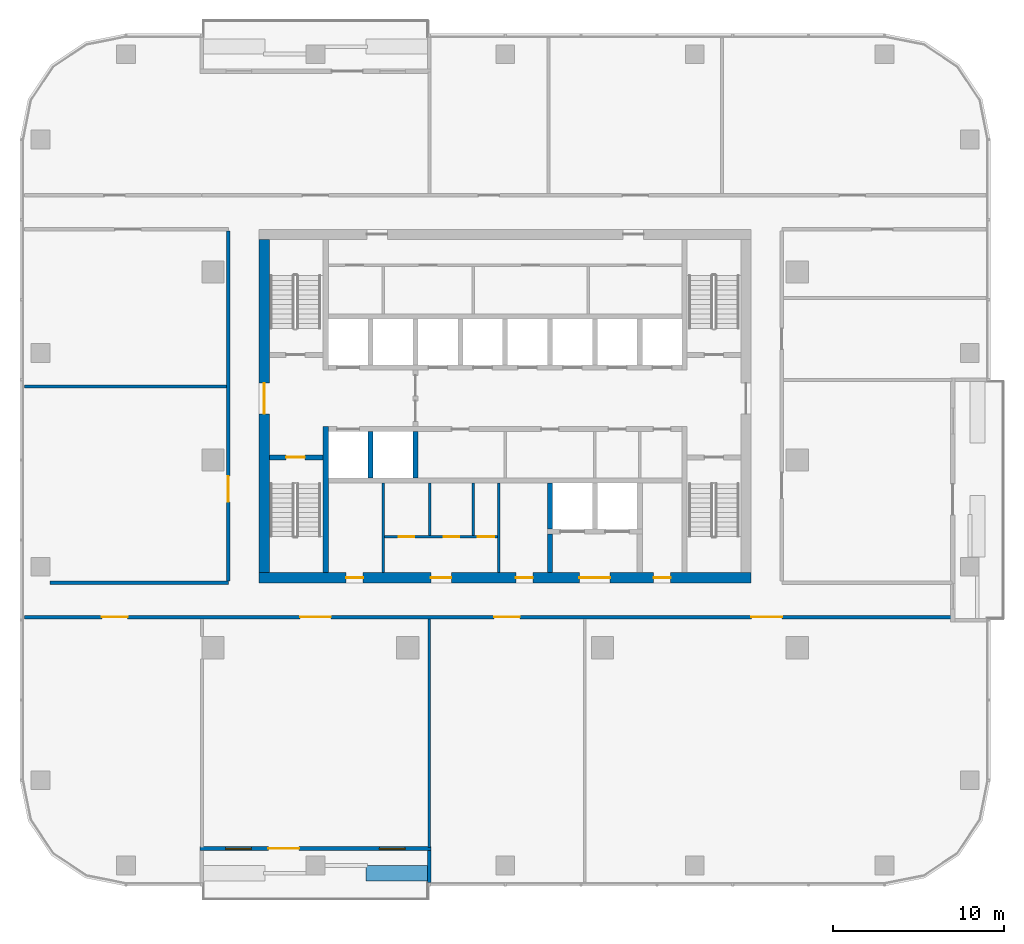
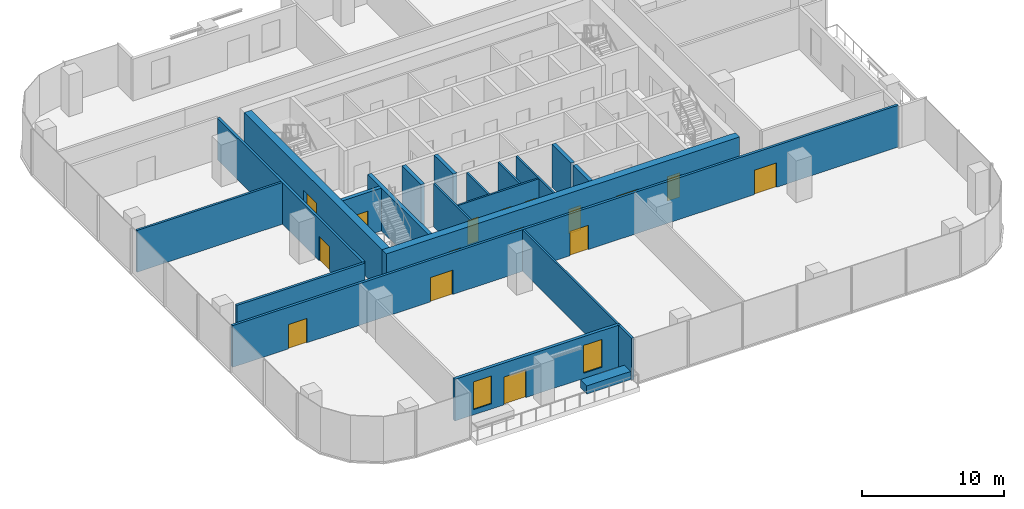
# One storey, part 7 of 14: 21 walls, 16 doors, 2 windows, 18 openings.
"""IFC4 building model written with IfcOpenShell, lengths in metres."""

from ifc_helpers import new_model, si_unit, direction, frame, frame_2d, origin, place, context, subcontext, project, spatial, rectangle, extrude, material, layer, layer_set, type_object, element, fill, save


model = new_model("IFC4")

# Units and contexts
model_context = context("Model", 3, precision=1e-05, world=origin(), true_north=direction((0.0, 1.0)))
body_context = subcontext(model_context, "Body", "Model", "MODEL_VIEW")
ifc_project = project(units=[si_unit("LENGTHUNIT", "METRE"), si_unit("AREAUNIT", "SQUARE_METRE"), si_unit("VOLUMEUNIT", "CUBIC_METRE"), si_unit("PLANEANGLEUNIT", "RADIAN"), si_unit("MASSUNIT", "GRAM", prefix="KILO")], contexts=[model_context])

# Site, building, storey
site_placement = place(None, origin())
site = spatial("IfcSite", under=ifc_project, at=site_placement, CompositionType="ELEMENT")
building_placement = place(site_placement, origin())
building = spatial("IfcBuilding", under=site, at=building_placement, Name="Mopane Tessera Tower", CompositionType="ELEMENT")
storey_placement = place(building_placement, frame((0.0, 0.0, 215.0)))
storey = spatial("IfcBuildingStorey", under=building, at=storey_placement, Name="L45", CompositionType="ELEMENT", Elevation=215.0)

# Wall
ifc_material_1 = material(Name="Fire-rated gypsum board partition")
ifc_layer_1 = layer(ifc_material_1, 0.14990234375)
ifc_layer_set_1 = layer_set([ifc_layer_1], Name="Fire-rated gypsum board partition")
wall_type_1 = type_object("IfcWallType", Name="Core room partition 150 mm", PredefinedType="PARTITIONING", material=ifc_layer_set_1)
wall_1_placement = place(storey_placement, frame((-7.125, -6.60009765625, 0.0), z_axis=(0.0, 0.0, 1.0), x_axis=(0.0, 1.0, 0.0)))
element("IfcWall", 1, at=wall_1_placement, inside=storey, type_object=wall_type_1, Name="L45 Room partition", PredefinedType="PARTITIONING", context=body_context, shape_type="SweptSolid", body=[
    extrude(rectangle(XDim=5.25, YDim=0.14990234375, at=frame_2d((2.625, 0.0))), origin(), (0.0, 0.0, 1.0), 3.699951171875),
])

# Wall, openings, doors
wall_2_placement = place(storey_placement, frame((-7.050048828125, -4.5, 0.0), z_axis=(0.0, 0.0, 1.0), x_axis=(1.0, 0.0, 0.0)))
wall_2 = element("IfcWall", 2, at=wall_2_placement, inside=storey, type_object=wall_type_1, Name="L45 WC partition", PredefinedType="PARTITIONING", context=body_context, shape_type="SweptSolid", body=[
    extrude(rectangle(XDim=6.60009765625, YDim=0.14990234375, at=frame_2d((3.300048828125, 0.0))), origin(), (0.0, 0.0, 1.0), 3.699951171875),
])
opening_1_placement = place(wall_2_placement, frame((0.824951171875, 0.0, 0.0)))
opening_1 = element("IfcOpeningElement", 3, at=opening_1_placement, cuts=wall_2, Name="Opening WD1", PredefinedType="OPENING", context=body_context, shape_type="SweptSolid", body=[
    extrude(rectangle(XDim=0.89990234375, YDim=2.10009765625, at=frame_2d((0.449951171875, 1.050048828125))), frame((0.0, 0.0869140625, 0.0), z_axis=(0.0, -1.0, 0.0), x_axis=(1.0, 0.0, 0.0)), (0.0, 0.0, 1.0), 0.173828125),
])
opening_2_placement = place(wall_2_placement, frame((3.45751953125, 0.0, 0.0)))
opening_2 = element("IfcOpeningElement", 4, at=opening_2_placement, cuts=wall_2, Name="Opening WD1", PredefinedType="OPENING", context=body_context, shape_type="SweptSolid", body=[
    extrude(rectangle(XDim=0.89990234375, YDim=2.10009765625, at=frame_2d((0.449951171875, 1.050048828125))), frame((0.0, 0.0869140625, 0.0), z_axis=(0.0, -1.0, 0.0), x_axis=(1.0, 0.0, 0.0)), (0.0, 0.0, 1.0), 0.173828125),
])
opening_3_placement = place(wall_2_placement, frame((5.45751953125, 0.0, 0.0)))
opening_3 = element("IfcOpeningElement", 5, at=opening_3_placement, cuts=wall_2, Name="Opening WD2", PredefinedType="OPENING", context=body_context, shape_type="SweptSolid", body=[
    extrude(rectangle(XDim=0.949951171875, YDim=2.10009765625, at=frame_2d((0.47509765625, 1.050048828125))), frame((0.0, 0.0869140625, 0.0), z_axis=(0.0, -1.0, 0.0), x_axis=(1.0, 0.0, 0.0)), (0.0, 0.0, 1.0), 0.173828125),
])
ifc_material_2 = material(Name="Timber door", Category="wood")
door_type_1 = type_object("IfcDoorType", Name="Accessible WC door 950 x 2100", OperationType="SINGLE_SWING_LEFT", PredefinedType="DOOR", material=ifc_material_2)
door_1_placement = place(opening_3_placement, origin())
door_1 = element("IfcDoor", 6, at=door_1_placement, inside=storey, type_object=door_type_1, Name="L45 Accessible WC door", OperationType="SINGLE_SWING_LEFT", OverallHeight=2.10009765625, OverallWidth=0.949951171875, PredefinedType="DOOR", context=body_context, shape_type="SweptSolid", body=[
    extrude(rectangle(XDim=0.949951171875, YDim=2.10009765625, at=frame_2d((0.47509765625, 1.050048828125))), frame((0.0, 0.02490234375, 0.0), z_axis=(0.0, -1.0, 0.0), x_axis=(1.0, 0.0, 0.0)), (0.0, 0.0, 1.0), 0.050048828125),
])
fill(opening_3, door_1)
ifc_material_3 = material(Name="Timber door", Category="wood")
door_type_2 = type_object("IfcDoorType", Name="WC cubicle door 900 x 2100", OperationType="SINGLE_SWING_LEFT", PredefinedType="DOOR", material=ifc_material_3)
door_2_placement = place(opening_1_placement, origin())
door_2 = element("IfcDoor", 7, at=door_2_placement, inside=storey, type_object=door_type_2, Name="L45 Men's WC door", OperationType="SINGLE_SWING_LEFT", OverallHeight=2.10009765625, OverallWidth=0.89990234375, PredefinedType="DOOR", context=body_context, shape_type="SweptSolid", body=[
    extrude(rectangle(XDim=0.89990234375, YDim=2.10009765625, at=frame_2d((0.449951171875, 1.050048828125))), frame((0.0, 0.02490234375, 0.0), z_axis=(0.0, -1.0, 0.0), x_axis=(1.0, 0.0, 0.0)), (0.0, 0.0, 1.0), 0.050048828125),
])
fill(opening_1, door_2)
door_3_placement = place(opening_2_placement, origin())
door_3 = element("IfcDoor", 8, at=door_3_placement, inside=storey, type_object=door_type_2, Name="L45 Women's WC door", OperationType="SINGLE_SWING_LEFT", OverallHeight=2.10009765625, OverallWidth=0.89990234375, PredefinedType="DOOR", context=body_context, shape_type="SweptSolid", body=[
    extrude(rectangle(XDim=0.89990234375, YDim=2.10009765625, at=frame_2d((0.449951171875, 1.050048828125))), frame((0.0, 0.02490234375, 0.0), z_axis=(0.0, -1.0, 0.0), x_axis=(1.0, 0.0, 0.0)), (0.0, 0.0, 1.0), 0.050048828125),
])
fill(opening_2, door_3)

# Walls
for number, where, z_axis, x_axis, name in (
    (9, (-4.425048828125, -4.425048828125, 0.0), (0.0, 0.0, 1.0), (0.0, 1.0, 0.0), "L45 WC partition"),
    (10, (-1.860107421875, -4.425048828125, 0.0), (0.0, 0.0, 1.0), (0.0, 1.0, 0.0), "L45 WC partition"),
):
    element("IfcWall", number, at=place(storey_placement, frame(where, z_axis=z_axis, x_axis=x_axis)), inside=storey, type_object=wall_type_1, Name=name, PredefinedType="PARTITIONING", context=body_context, shape_type="SweptSolid", body=[
        extrude(rectangle(XDim=3.074951171875, YDim=0.14990234375, at=frame_2d((1.53759765625, 0.0))), origin(), (0.0, 0.0, 1.0), 3.699951171875),
    ])
wall_3_placement = place(storey_placement, frame((-0.375, -6.60009765625, 0.0), z_axis=(0.0, 0.0, 1.0), x_axis=(0.0, 1.0, 0.0)))
element("IfcWall", 11, at=wall_3_placement, inside=storey, type_object=wall_type_1, Name="L45 Room partition", PredefinedType="PARTITIONING", context=body_context, shape_type="SweptSolid", body=[
    extrude(rectangle(XDim=5.25, YDim=0.14990234375, at=frame_2d((2.625, 0.0))), origin(), (0.0, 0.0, 1.0), 3.699951171875),
])

# Wall, openings, doors
ifc_material_4 = material(Name="Concrete C70/85", Category="concrete")
ifc_layer_2 = layer(ifc_material_4, 0.60009765625)
ifc_layer_set_2 = layer_set([ifc_layer_2], Name="Concrete C70/85")
wall_type_2 = type_object("IfcWallType", Name="Core shear wall 600 mm", PredefinedType="SHEAR", material=ifc_layer_set_2)
wall_4_placement = place(storey_placement, frame((-14.39990234375, -6.89990234375, 0.0), z_axis=(0.0, 0.0, 1.0), x_axis=(1.0, 0.0, 0.0)))
wall_4 = element("IfcWall", 12, at=wall_4_placement, inside=storey, type_object=wall_type_2, Name="L45 Core wall south", PredefinedType="SHEAR", context=body_context, shape_type="SweptSolid", body=[
    extrude(rectangle(XDim=28.7998046875, YDim=0.60009765625, at=frame_2d((14.39990234375, 0.0))), origin(), (0.0, 0.0, 1.0), 3.699951171875),
])
opening_4_placement = place(wall_4_placement, frame((5.08740234375, 0.0, 0.0)))
opening_4 = element("IfcOpeningElement", 13, at=opening_4_placement, cuts=wall_4, Name="Opening RD1", PredefinedType="OPENING", context=body_context, shape_type="SweptSolid", body=[
    extrude(rectangle(XDim=1.0, YDim=2.10009765625, at=frame_2d((0.5, 1.050048828125))), frame((0.0, 0.31201171875, 0.0), z_axis=(0.0, -1.0, 0.0), x_axis=(1.0, 0.0, 0.0)), (0.0, 0.0, 1.0), 0.6240234375),
])
opening_5_placement = place(wall_4_placement, frame((10.050048828125, 0.0, 0.0)))
opening_5 = element("IfcOpeningElement", 14, at=opening_5_placement, cuts=wall_4, Name="Opening WD3", PredefinedType="OPENING", context=body_context, shape_type="SweptSolid", body=[
    extrude(rectangle(XDim=1.199951171875, YDim=2.10009765625, at=frame_2d((0.60009765625, 1.050048828125))), frame((0.0, 0.31201171875, 0.0), z_axis=(0.0, -1.0, 0.0), x_axis=(1.0, 0.0, 0.0)), (0.0, 0.0, 1.0), 0.6240234375),
])
opening_6_placement = place(wall_4_placement, frame((15.02490234375, 0.0, 0.0)))
opening_6 = element("IfcOpeningElement", 15, at=opening_6_placement, cuts=wall_4, Name="Opening RD1", PredefinedType="OPENING", context=body_context, shape_type="SweptSolid", body=[
    extrude(rectangle(XDim=1.0, YDim=2.10009765625, at=frame_2d((0.5, 1.050048828125))), frame((0.0, 0.31201171875, 0.0), z_axis=(0.0, -1.0, 0.0), x_axis=(1.0, 0.0, 0.0)), (0.0, 0.0, 1.0), 0.6240234375),
])
opening_7_placement = place(wall_4_placement, frame((18.75, 0.0, 0.0)))
opening_7 = element("IfcOpeningElement", 16, at=opening_7_placement, cuts=wall_4, Name="Opening SD2", PredefinedType="OPENING", context=body_context, shape_type="SweptSolid", body=[
    extrude(rectangle(XDim=1.800048828125, YDim=2.10009765625, at=frame_2d((0.89990234375, 1.050048828125))), frame((0.0, 0.31201171875, 0.0), z_axis=(0.0, -1.0, 0.0), x_axis=(1.0, 0.0, 0.0)), (0.0, 0.0, 1.0), 0.6240234375),
])
opening_8_placement = place(wall_4_placement, frame((23.08740234375, 0.0, 0.0)))
opening_8 = element("IfcOpeningElement", 17, at=opening_8_placement, cuts=wall_4, Name="Opening RD1", PredefinedType="OPENING", context=body_context, shape_type="SweptSolid", body=[
    extrude(rectangle(XDim=1.0, YDim=2.10009765625, at=frame_2d((0.5, 1.050048828125))), frame((0.0, 0.31201171875, 0.0), z_axis=(0.0, -1.0, 0.0), x_axis=(1.0, 0.0, 0.0)), (0.0, 0.0, 1.0), 0.6240234375),
])
ifc_material_5 = material(Name="Steel fire door", Category="steel")
door_type_3 = type_object("IfcDoorType", Name="Core entrance double door 1800 x 2100", OperationType="DOUBLE_DOOR_SINGLE_SWING", PredefinedType="DOOR", material=ifc_material_5)
door_4_placement = place(opening_7_placement, origin())
door_4 = element("IfcDoor", 18, at=door_4_placement, inside=storey, type_object=door_type_3, Name="L45 Service lobby door", OperationType="DOUBLE_DOOR_SINGLE_SWING", OverallHeight=2.10009765625, OverallWidth=1.800048828125, PredefinedType="DOOR", context=body_context, shape_type="SweptSolid", body=[
    extrude(rectangle(XDim=1.800048828125, YDim=2.10009765625, at=frame_2d((0.89990234375, 1.050048828125))), frame((0.0, 0.02490234375, 0.0), z_axis=(0.0, -1.0, 0.0), x_axis=(1.0, 0.0, 0.0)), (0.0, 0.0, 1.0), 0.050048828125),
])
fill(opening_7, door_4)
ifc_material_6 = material(Name="Timber door", Category="wood")
door_type_4 = type_object("IfcDoorType", Name="Core room door 1000 x 2100", OperationType="SINGLE_SWING_LEFT", PredefinedType="DOOR", material=ifc_material_6)
door_5_placement = place(opening_4_placement, origin())
door_5 = element("IfcDoor", 19, at=door_5_placement, inside=storey, type_object=door_type_4, Name="L45 Room door", OperationType="SINGLE_SWING_LEFT", OverallHeight=2.10009765625, OverallWidth=1.0, PredefinedType="DOOR", context=body_context, shape_type="SweptSolid", body=[
    extrude(rectangle(XDim=1.0, YDim=2.10009765625, at=frame_2d((0.5, 1.050048828125))), frame((0.0, 0.02490234375, 0.0), z_axis=(0.0, -1.0, 0.0), x_axis=(1.0, 0.0, 0.0)), (0.0, 0.0, 1.0), 0.050048828125),
])
fill(opening_4, door_5)
door_6_placement = place(opening_6_placement, origin())
door_6 = element("IfcDoor", 20, at=door_6_placement, inside=storey, type_object=door_type_4, Name="L45 Room door", OperationType="SINGLE_SWING_LEFT", OverallHeight=2.10009765625, OverallWidth=1.0, PredefinedType="DOOR", context=body_context, shape_type="SweptSolid", body=[
    extrude(rectangle(XDim=1.0, YDim=2.10009765625, at=frame_2d((0.5, 1.050048828125))), frame((0.0, 0.02490234375, 0.0), z_axis=(0.0, -1.0, 0.0), x_axis=(1.0, 0.0, 0.0)), (0.0, 0.0, 1.0), 0.050048828125),
])
fill(opening_6, door_6)
door_7_placement = place(opening_8_placement, origin())
door_7 = element("IfcDoor", 21, at=door_7_placement, inside=storey, type_object=door_type_4, Name="L45 Room door", OperationType="SINGLE_SWING_LEFT", OverallHeight=2.10009765625, OverallWidth=1.0, PredefinedType="DOOR", context=body_context, shape_type="SweptSolid", body=[
    extrude(rectangle(XDim=1.0, YDim=2.10009765625, at=frame_2d((0.5, 1.050048828125))), frame((0.0, 0.02490234375, 0.0), z_axis=(0.0, -1.0, 0.0), x_axis=(1.0, 0.0, 0.0)), (0.0, 0.0, 1.0), 0.050048828125),
])
fill(opening_8, door_7)
ifc_material_7 = material(Name="Timber door", Category="wood")
door_type_5 = type_object("IfcDoorType", Name="WC lobby door 1200 x 2100", OperationType="SINGLE_SWING_LEFT", PredefinedType="DOOR", material=ifc_material_7)
door_8_placement = place(opening_5_placement, origin())
door_8 = element("IfcDoor", 22, at=door_8_placement, inside=storey, type_object=door_type_5, Name="L45 WC lobby door", OperationType="SINGLE_SWING_LEFT", OverallHeight=2.10009765625, OverallWidth=1.199951171875, PredefinedType="DOOR", context=body_context, shape_type="SweptSolid", body=[
    extrude(rectangle(XDim=1.199951171875, YDim=2.10009765625, at=frame_2d((0.60009765625, 1.050048828125))), frame((0.0, 0.02490234375, 0.0), z_axis=(0.0, -1.0, 0.0), x_axis=(1.0, 0.0, 0.0)), (0.0, 0.0, 1.0), 0.050048828125),
])
fill(opening_5, door_8)

# Wall, opening, door
wall_5_placement = place(storey_placement, frame((-14.10009765625, -6.60009765625, 0.0), z_axis=(0.0, 0.0, 1.0), x_axis=(0.0, 1.0, 0.0)))
wall_5 = element("IfcWall", 23, at=wall_5_placement, inside=storey, type_object=wall_type_2, Name="L45 Core wall west", PredefinedType="SHEAR", context=body_context, shape_type="SweptSolid", body=[
    extrude(rectangle(XDim=19.5, YDim=0.60009765625, at=frame_2d((9.75, 0.0))), origin(), (0.0, 0.0, 1.0), 3.699951171875),
])
opening_9_placement = place(wall_5_placement, frame((9.300048828125, 0.0, 0.0)))
opening_9 = element("IfcOpeningElement", 24, at=opening_9_placement, cuts=wall_5, Name="Opening SD2", PredefinedType="OPENING", context=body_context, shape_type="SweptSolid", body=[
    extrude(rectangle(XDim=1.800048828125, YDim=2.10009765625, at=frame_2d((0.89990234375, 1.050048828125))), frame((0.0, 0.31201171875, 0.0), z_axis=(0.0, -1.0, 0.0), x_axis=(1.0, 0.0, 0.0)), (0.0, 0.0, 1.0), 0.6240234375),
])
door_9_placement = place(opening_9_placement, origin())
door_9 = element("IfcDoor", 25, at=door_9_placement, inside=storey, type_object=door_type_3, Name="L45 Core entrance door west", OperationType="DOUBLE_DOOR_SINGLE_SWING", OverallHeight=2.10009765625, OverallWidth=1.800048828125, PredefinedType="DOOR", context=body_context, shape_type="SweptSolid", body=[
    extrude(rectangle(XDim=1.800048828125, YDim=2.10009765625, at=frame_2d((0.89990234375, 1.050048828125))), frame((0.0, 0.02490234375, 0.0), z_axis=(0.0, -1.0, 0.0), x_axis=(1.0, 0.0, 0.0)), (0.0, 0.0, 1.0), 0.050048828125),
])
fill(opening_9, door_9)

# Walls
ifc_material_8 = material(Name="Concrete C60/75", Category="concrete")
ifc_layer_3 = layer(ifc_material_8, 0.300048828125)
ifc_layer_set_3 = layer_set([ifc_layer_3], Name="Concrete C60/75")
wall_type_3 = type_object("IfcWallType", Name="Core spine wall 300 mm", PredefinedType="SHEAR", material=ifc_layer_set_3)
wall_6_placement = place(storey_placement, frame((-10.5, -6.60009765625, 0.0), z_axis=(0.0, 0.0, 1.0), x_axis=(0.0, 1.0, 0.0)))
element("IfcWall", 26, at=wall_6_placement, inside=storey, type_object=wall_type_3, Name="L45 Core spine wall", PredefinedType="SHEAR", context=body_context, shape_type="SweptSolid", body=[
    extrude(rectangle(XDim=8.550048828125, YDim=0.300048828125, at=frame_2d((4.27490234375, 0.0))), origin(), (0.0, 0.0, 1.0), 3.699951171875),
])
ifc_material_9 = material(Name="Gypsum board on staggered steel studs, double layer each face, acoustic mineral wool infill", Category="steel")
ifc_layer_4 = layer(ifc_material_9, 0.175048828125)
ifc_layer_set_4 = layer_set([ifc_layer_4], Name="Gypsum board on staggered steel studs, double layer each face, acoustic mineral wool infill")
wall_type_4 = type_object("IfcWallType", Name="Gypsum board acoustic partition 175, rated EI 60", PredefinedType="PARTITIONING", material=ifc_layer_set_4)
wall_7_placement = place(storey_placement, frame((-28.14990234375, 4.300048828125, 0.0), z_axis=(0.0, 0.0, 1.0), x_axis=(1.0, 0.0, 0.0)))
element("IfcWall", 27, at=wall_7_placement, inside=storey, type_object=wall_type_4, Name="Partition L45:003", PredefinedType="PARTITIONING", context=body_context, shape_type="SweptSolid", body=[
    extrude(rectangle(XDim=11.849853515625, YDim=0.175048828125, at=frame_2d((5.9248046875, 0.0))), origin(), (0.0, 0.0, 1.0), 3.60009765625),
])

# Wall, openings, doors
ifc_material_10 = material(Name="Gypsum board on steel studs, two layers each face, mineral wool infill", Category="steel")
ifc_layer_5 = layer(ifc_material_10, 0.199951171875)
ifc_layer_set_5 = layer_set([ifc_layer_5], Name="Gypsum board on steel studs, two layers each face, mineral wool infill")
wall_type_5 = type_object("IfcWallType", Name="Gypsum board corridor wall 200, rated EI 60", PredefinedType="PARTITIONING", material=ifc_layer_set_5)
wall_8_placement = place(storey_placement, frame((-28.14990234375, -9.199951171875, 0.0), z_axis=(0.0, 0.0, 1.0), x_axis=(1.0, 0.0, 0.0)))
wall_8 = element("IfcWall", 28, at=wall_8_placement, inside=storey, type_object=wall_type_5, Name="Partition L45:000", PredefinedType="PARTITIONING", context=body_context, shape_type="SweptSolid", body=[
    extrude(rectangle(XDim=54.2998046875, YDim=0.199951171875, at=frame_2d((27.14990234375, 0.0))), origin(), (0.0, 0.0, 1.0), 3.60009765625),
])
opening_10_placement = place(wall_8_placement, frame((42.554931640625, 0.0, 0.0)))
opening_10 = element("IfcOpeningElement", 29, at=opening_10_placement, cuts=wall_8, Name="Opening L45-04", PredefinedType="OPENING", context=body_context, shape_type="SweptSolid", body=[
    extrude(rectangle(XDim=1.800048828125, YDim=2.10009765625, at=frame_2d((0.89990234375, 1.050048828125))), frame((0.0, 0.112060546875, 0.0), z_axis=(0.0, -1.0, 0.0), x_axis=(1.0, 0.0, 0.0)), (0.0, 0.0, 1.0), 0.223876953125),
])
opening_11_placement = place(wall_8_placement, frame((27.510009765625, 0.0, 0.0)))
opening_11 = element("IfcOpeningElement", 30, at=opening_11_placement, cuts=wall_8, Name="Opening L45-07", PredefinedType="OPENING", context=body_context, shape_type="SweptSolid", body=[
    extrude(rectangle(XDim=1.5, YDim=2.10009765625, at=frame_2d((0.75, 1.050048828125))), frame((0.0, 0.112060546875, 0.0), z_axis=(0.0, -1.0, 0.0), x_axis=(1.0, 0.0, 0.0)), (0.0, 0.0, 1.0), 0.223876953125),
])
opening_12_placement = place(wall_8_placement, frame((16.14990234375, 0.0, 0.0)))
opening_12 = element("IfcOpeningElement", 31, at=opening_12_placement, cuts=wall_8, Name="Opening L45-08", PredefinedType="OPENING", context=body_context, shape_type="SweptSolid", body=[
    extrude(rectangle(XDim=1.800048828125, YDim=2.10009765625, at=frame_2d((0.89990234375, 1.050048828125))), frame((0.0, 0.112060546875, 0.0), z_axis=(0.0, -1.0, 0.0), x_axis=(1.0, 0.0, 0.0)), (0.0, 0.0, 1.0), 0.223876953125),
])
opening_13_placement = place(wall_8_placement, frame((4.544921875, 0.0, 0.0)))
opening_13 = element("IfcOpeningElement", 32, at=opening_13_placement, cuts=wall_8, Name="Opening L45-11", PredefinedType="OPENING", context=body_context, shape_type="SweptSolid", body=[
    extrude(rectangle(XDim=1.5, YDim=2.10009765625, at=frame_2d((0.75, 1.050048828125))), frame((0.0, 0.112060546875, 0.0), z_axis=(0.0, -1.0, 0.0), x_axis=(1.0, 0.0, 0.0)), (0.0, 0.0, 1.0), 0.223876953125),
])
ifc_material_11 = material(Name="Timber veneered steel-framed fire door", Category="steel")
door_type_6 = type_object("IfcDoorType", Name="Fire door pair FD60 1500 x 2100", OperationType="DOUBLE_DOOR_SINGLE_SWING", PredefinedType="DOOR", material=ifc_material_11)
door_10_placement = place(opening_11_placement, origin())
door_10 = element("IfcDoor", 33, at=door_10_placement, inside=storey, type_object=door_type_6, Name="Door L45-07", ObjectType="D17A", OperationType="DOUBLE_DOOR_SINGLE_SWING", OverallHeight=2.10009765625, OverallWidth=1.5, PredefinedType="DOOR", context=body_context, shape_type="SweptSolid", body=[
    extrude(rectangle(XDim=1.5, YDim=2.10009765625, at=frame_2d((0.75, 1.050048828125))), frame((0.0, 0.02490234375, 0.0), z_axis=(0.0, -1.0, 0.0), x_axis=(1.0, 0.0, 0.0)), (0.0, 0.0, 1.0), 0.050048828125),
])
fill(opening_11, door_10)
door_11_placement = place(opening_13_placement, origin())
door_11 = element("IfcDoor", 34, at=door_11_placement, inside=storey, type_object=door_type_6, Name="Door L45-11", ObjectType="D17A", OperationType="DOUBLE_DOOR_SINGLE_SWING", OverallHeight=2.10009765625, OverallWidth=1.5, PredefinedType="DOOR", context=body_context, shape_type="SweptSolid", body=[
    extrude(rectangle(XDim=1.5, YDim=2.10009765625, at=frame_2d((0.75, 1.050048828125))), frame((0.0, 0.02490234375, 0.0), z_axis=(0.0, -1.0, 0.0), x_axis=(1.0, 0.0, 0.0)), (0.0, 0.0, 1.0), 0.050048828125),
])
fill(opening_13, door_11)
ifc_material_12 = material(Name="Timber veneered steel-framed fire door", Category="steel")
door_type_7 = type_object("IfcDoorType", Name="Fire door pair FD60 1800 x 2100", OperationType="DOUBLE_DOOR_SINGLE_SWING", PredefinedType="DOOR", material=ifc_material_12)
door_12_placement = place(opening_10_placement, origin())
door_12 = element("IfcDoor", 35, at=door_12_placement, inside=storey, type_object=door_type_7, Name="Door L45-04", ObjectType="D20A", OperationType="DOUBLE_DOOR_SINGLE_SWING", OverallHeight=2.10009765625, OverallWidth=1.800048828125, PredefinedType="DOOR", context=body_context, shape_type="SweptSolid", body=[
    extrude(rectangle(XDim=1.800048828125, YDim=2.10009765625, at=frame_2d((0.89990234375, 1.050048828125))), frame((0.0, 0.02490234375, 0.0), z_axis=(0.0, -1.0, 0.0), x_axis=(1.0, 0.0, 0.0)), (0.0, 0.0, 1.0), 0.050048828125),
])
fill(opening_10, door_12)
door_13_placement = place(opening_12_placement, origin())
door_13 = element("IfcDoor", 36, at=door_13_placement, inside=storey, type_object=door_type_7, Name="Door L45-08", ObjectType="D20A", OperationType="DOUBLE_DOOR_SINGLE_SWING", OverallHeight=2.10009765625, OverallWidth=1.800048828125, PredefinedType="DOOR", context=body_context, shape_type="SweptSolid", body=[
    extrude(rectangle(XDim=1.800048828125, YDim=2.10009765625, at=frame_2d((0.89990234375, 1.050048828125))), frame((0.0, 0.02490234375, 0.0), z_axis=(0.0, -1.0, 0.0), x_axis=(1.0, 0.0, 0.0)), (0.0, 0.0, 1.0), 0.050048828125),
])
fill(opening_12, door_13)

# Wall
wall_9_placement = place(storey_placement, frame((-26.64990234375, -7.199951171875, 0.0), z_axis=(0.0, 0.0, 1.0), x_axis=(1.0, 0.0, 0.0)))
element("IfcWall", 37, at=wall_9_placement, inside=storey, type_object=wall_type_5, Name="Partition L45:001", PredefinedType="PARTITIONING", context=body_context, shape_type="SweptSolid", body=[
    extrude(rectangle(XDim=10.449951171875, YDim=0.199951171875, at=frame_2d((5.22509765625, 0.0))), origin(), (0.0, 0.0, 1.0), 3.60009765625),
])

# Wall, opening, door
wall_10_placement = place(storey_placement, frame((-16.199951171875, -7.10009765625, 0.0), z_axis=(0.0, 0.0, 1.0), x_axis=(0.0, 1.0, 0.0)))
wall_10 = element("IfcWall", 38, at=wall_10_placement, inside=storey, type_object=wall_type_5, Name="Partition L45:012", PredefinedType="PARTITIONING", context=body_context, shape_type="SweptSolid", body=[
    extrude(rectangle(XDim=20.5, YDim=0.199951171875, at=frame_2d((10.25, 0.0))), origin(), (0.0, 0.0, 1.0), 3.60009765625),
])
opening_14_placement = place(wall_10_placement, frame((4.64990234375, 0.0, 0.0)))
opening_14 = element("IfcOpeningElement", 39, at=opening_14_placement, cuts=wall_10, Name="Opening L45-12", PredefinedType="OPENING", context=body_context, shape_type="SweptSolid", body=[
    extrude(rectangle(XDim=1.5, YDim=2.10009765625, at=frame_2d((0.75, 1.050048828125))), frame((0.0, 0.112060546875, 0.0), z_axis=(0.0, -1.0, 0.0), x_axis=(1.0, 0.0, 0.0)), (0.0, 0.0, 1.0), 0.223876953125),
])
door_14_placement = place(opening_14_placement, origin())
door_14 = element("IfcDoor", 40, at=door_14_placement, inside=storey, type_object=door_type_6, Name="Door L45-12", ObjectType="D17A", OperationType="DOUBLE_DOOR_SINGLE_SWING", OverallHeight=2.10009765625, OverallWidth=1.5, PredefinedType="DOOR", context=body_context, shape_type="SweptSolid", body=[
    extrude(rectangle(XDim=1.5, YDim=2.10009765625, at=frame_2d((0.75, 1.050048828125))), frame((0.0, 0.02490234375, 0.0), z_axis=(0.0, -1.0, 0.0), x_axis=(1.0, 0.0, 0.0)), (0.0, 0.0, 1.0), 0.050048828125),
])
fill(opening_14, door_14)

# Wall
ifc_material_13 = material(Name="Gypsum board on steel studs, mineral wool infill", Category="steel")
ifc_layer_6 = layer(ifc_material_13, 0.14990234375)
ifc_layer_set_6 = layer_set([ifc_layer_6], Name="Gypsum board on steel studs, mineral wool infill")
wall_type_6 = type_object("IfcWallType", Name="Gypsum board partition 150, rated EI 60", PredefinedType="PARTITIONING", material=ifc_layer_set_6)
wall_11_placement = place(storey_placement, frame((-4.43994140625, -22.699951171875, 0.0), z_axis=(0.0, 0.0, 1.0), x_axis=(0.0, 1.0, 0.0)))
element("IfcWall", 41, at=wall_11_placement, inside=storey, type_object=wall_type_6, Name="Partition L45:013", PredefinedType="PARTITIONING", context=body_context, shape_type="SweptSolid", body=[
    extrude(rectangle(XDim=13.39990234375, YDim=0.14990234375, at=frame_2d((6.699951171875, 0.0))), origin(), (0.0, 0.0, 1.0), 3.60009765625),
])

# Wall, opening, door
ifc_material_14 = material(Name="Concrete C50/60", Category="concrete")
ifc_layer_7 = layer(ifc_material_14, 0.300048828125)
ifc_layer_set_7 = layer_set([ifc_layer_7], Name="Concrete C50/60")
wall_type_7 = type_object("IfcWallType", Name="Lift and stair shaft wall 300 mm", PredefinedType="SOLIDWALL", material=ifc_layer_set_7)
wall_12_placement = place(storey_placement, frame((-13.800048828125, 0.14990234375, 0.0), z_axis=(0.0, 0.0, 1.0), x_axis=(1.0, 0.0, 0.0)))
wall_12 = element("IfcWall", 42, at=wall_12_placement, inside=storey, type_object=wall_type_7, Name="L45 Stair enclosure wall", PredefinedType="SOLIDWALL", context=body_context, shape_type="SweptSolid", body=[
    extrude(rectangle(XDim=3.150146484375, YDim=0.300048828125, at=frame_2d((1.5751953125, 0.0))), origin(), (0.0, 0.0, 1.0), 3.699951171875),
])
opening_15_placement = place(wall_12_placement, frame((0.97509765625, 0.0, 0.0)))
opening_15 = element("IfcOpeningElement", 43, at=opening_15_placement, cuts=wall_12, Name="Opening SD1", PredefinedType="OPENING", context=body_context, shape_type="SweptSolid", body=[
    extrude(rectangle(XDim=1.10009765625, YDim=2.10009765625, at=frame_2d((0.550048828125, 1.050048828125))), frame((0.0, 0.162109375, 0.0), z_axis=(0.0, -1.0, 0.0), x_axis=(1.0, 0.0, 0.0)), (0.0, 0.0, 1.0), 0.323974609375),
])
ifc_material_15 = material(Name="Steel fire door", Category="steel")
door_type_8 = type_object("IfcDoorType", Name="Stair fire door 1100 x 2100", OperationType="SINGLE_SWING_LEFT", PredefinedType="DOOR", material=ifc_material_15)
door_15_placement = place(opening_15_placement, origin())
door_15 = element("IfcDoor", 44, at=door_15_placement, inside=storey, type_object=door_type_8, Name="L45 Stair door ST1", OperationType="SINGLE_SWING_LEFT", OverallHeight=2.10009765625, OverallWidth=1.10009765625, PredefinedType="DOOR", context=body_context, shape_type="SweptSolid", body=[
    extrude(rectangle(XDim=1.10009765625, YDim=2.10009765625, at=frame_2d((0.550048828125, 1.050048828125))), frame((0.0, 0.02490234375, 0.0), z_axis=(0.0, -1.0, 0.0), x_axis=(1.0, 0.0, 0.0)), (0.0, 0.0, 1.0), 0.050048828125),
])
fill(opening_15, door_15)

# Walls
for number, where, z_axis, x_axis, name in (
    (45, (-7.875, -1.050048828125, 0.0), (0.0, 0.0, 1.0), (0.0, 1.0, 0.0), "L45 Lift shaft wall"),
    (46, (-5.25, -1.050048828125, 0.0), (0.0, 0.0, 1.0), (0.0, 1.0, 0.0), "L45 Lift shaft wall"),
    (47, (2.625, -4.050048828125, 0.0), (0.0, 0.0, 1.0), (0.0, 1.0, 0.0), "L45 Lift shaft wall"),
):
    element("IfcWall", number, at=place(storey_placement, frame(where, z_axis=z_axis, x_axis=x_axis)), inside=storey, type_object=wall_type_7, Name=name, PredefinedType="SOLIDWALL", context=body_context, shape_type="SweptSolid", body=[
        extrude(rectangle(XDim=2.699951171875, YDim=0.300048828125, at=frame_2d((1.35009765625, 0.0))), origin(), (0.0, 0.0, 1.0), 3.699951171875),
    ])
ifc_material_16 = material(Name="Concrete C50/60", Category="concrete")
ifc_layer_8 = layer(ifc_material_16, 0.300048828125)
ifc_layer_set_8 = layer_set([ifc_layer_8], Name="Concrete C50/60")
wall_type_8 = type_object("IfcWallType", Name="Lobby and refuge room wall 300 mm", PredefinedType="SOLIDWALL", material=ifc_layer_set_8)
wall_13_placement = place(storey_placement, frame((2.625, -6.60009765625, 0.0), z_axis=(0.0, 0.0, 1.0), x_axis=(0.0, 1.0, 0.0)))
element("IfcWall", 48, at=wall_13_placement, inside=storey, type_object=wall_type_8, Name="L45 Service lobby wall", PredefinedType="SOLIDWALL", context=body_context, shape_type="SweptSolid", body=[
    extrude(rectangle(XDim=2.25, YDim=0.300048828125, at=frame_2d((1.125, 0.0))), origin(), (0.0, 0.0, 1.0), 3.699951171875),
])
ifc_material_17 = material(Name="Reinforced concrete C32/40 with waterproofing", Category="concrete")
ifc_layer_9 = layer(ifc_material_17, 0.89990234375)
ifc_layer_set_9 = layer_set([ifc_layer_9], Name="Reinforced concrete C32/40 with waterproofing")
wall_type_9 = type_object("IfcWallType", Name="Planter trough 3600 x 900", PredefinedType="STANDARD", material=ifc_layer_set_9)
wall_14_placement = place(storey_placement, frame((-8.139892578125, -24.199951171875, 0.0), z_axis=(0.0, 0.0, 1.0), x_axis=(1.0, 0.0, 0.0)))
element("IfcWall", 49, at=wall_14_placement, inside=storey, type_object=wall_type_9, Name="e:nw:L45:N1:pl1", PredefinedType="STANDARD", context=body_context, shape_type="SweptSolid", body=[
    extrude(rectangle(XDim=3.599853515625, YDim=0.89990234375, at=frame_2d((1.7998046875, 0.0))), origin(), (0.0, 0.0, 1.0), 0.699951171875),
])
ifc_material_18 = material(Name="Blockwork with glazed tile facing", Category="masonry")
ifc_layer_10 = layer(ifc_material_18, 0.199951171875)
ifc_layer_set_10 = layer_set([ifc_layer_10], Name="Blockwork with glazed tile facing")
wall_type_10 = type_object("IfcWallType", Name="Terrace cheek wall 200", PredefinedType="STANDARD", material=ifc_layer_set_10)
wall_15_placement = place(storey_placement, frame((-4.43994140625, -24.75, 0.0), z_axis=(0.0, 0.0, 1.0), x_axis=(0.0, 1.0, 0.0)))
element("IfcWall", 50, at=wall_15_placement, inside=storey, type_object=wall_type_10, Name="e:nw:L45:N1:cheekb", PredefinedType="STANDARD", context=body_context, shape_type="SweptSolid", body=[
    extrude(rectangle(XDim=1.875, YDim=0.199951171875, at=frame_2d((0.9375, 0.0))), origin(), (0.0, 0.0, 1.0), 3.60009765625),
])

# Wall, openings, windows, door
ifc_material_19 = material(Name="Blockwork with ultramarine glazed tile facing", Category="masonry")
ifc_layer_11 = layer(ifc_material_19, 0.25)
ifc_layer_set_11 = layer_set([ifc_layer_11], Name="Blockwork with ultramarine glazed tile facing")
wall_type_11 = type_object("IfcWallType", Name="Tile-clad external wall 250, ultramarine", PredefinedType="STANDARD", material=ifc_layer_set_11)
wall_16_placement = place(storey_placement, frame((-17.860107421875, -22.75, 0.0), z_axis=(0.0, 0.0, 1.0), x_axis=(1.0, 0.0, 0.0)))
wall_16 = element("IfcWall", 51, at=wall_16_placement, inside=storey, type_object=wall_type_11, Name="e:nw:L45:N1:back", PredefinedType="STANDARD", context=body_context, shape_type="SweptSolid", body=[
    extrude(rectangle(XDim=13.52001953125, YDim=0.25, at=frame_2d((6.760009765625, 0.0))), origin(), (0.0, 0.0, 1.0), 3.60009765625),
])
opening_16_placement = place(wall_16_placement, frame((1.5, 0.0, 0.449951171875)))
opening_16 = element("IfcOpeningElement", 52, at=opening_16_placement, cuts=wall_16, Name="Opening NW451A", PredefinedType="OPENING", context=body_context, shape_type="SweptSolid", body=[
    extrude(rectangle(XDim=1.5, YDim=2.39990234375, at=frame_2d((0.75, 1.199951171875))), frame((0.0, 0.136962890625, 0.0), z_axis=(0.0, -1.0, 0.0), x_axis=(1.0, 0.0, 0.0)), (0.0, 0.0, 1.0), 0.27392578125),
])
opening_17_placement = place(wall_16_placement, frame((4.0, 0.0, 0.0)))
opening_17 = element("IfcOpeningElement", 53, at=opening_17_placement, cuts=wall_16, Name="Opening ND451", PredefinedType="OPENING", context=body_context, shape_type="SweptSolid", body=[
    extrude(rectangle(XDim=1.800048828125, YDim=2.39990234375, at=frame_2d((0.89990234375, 1.199951171875))), frame((0.0, 0.136962890625, 0.0), z_axis=(0.0, -1.0, 0.0), x_axis=(1.0, 0.0, 0.0)), (0.0, 0.0, 1.0), 0.27392578125),
])
opening_18_placement = place(wall_16_placement, frame((10.5, 0.0, 0.449951171875)))
opening_18 = element("IfcOpeningElement", 54, at=opening_18_placement, cuts=wall_16, Name="Opening NW451B", PredefinedType="OPENING", context=body_context, shape_type="SweptSolid", body=[
    extrude(rectangle(XDim=1.5, YDim=2.39990234375, at=frame_2d((0.75, 1.199951171875))), frame((0.0, 0.136962890625, 0.0), z_axis=(0.0, -1.0, 0.0), x_axis=(1.0, 0.0, 0.0)), (0.0, 0.0, 1.0), 0.27392578125),
])
ifc_material_20 = material(Name="Clear laminated glass", Category="glass")
window_type = type_object("IfcWindowType", Name="Fixed window 1500 x 2400", PartitioningType="SINGLE_PANEL", PredefinedType="WINDOW", material=ifc_material_20)
window_1_placement = place(opening_16_placement, origin())
window_1 = element("IfcWindow", 55, at=window_1_placement, inside=storey, type_object=window_type, Name="e:nw:L45:N1:win0", OverallHeight=2.39990234375, OverallWidth=1.5, PartitioningType="SINGLE_PANEL", PredefinedType="WINDOW", context=body_context, shape_type="SweptSolid", body=[
    extrude(rectangle(XDim=1.5, YDim=2.39990234375, at=frame_2d((0.75, 1.199951171875))), frame((0.0, 0.030029296875, 0.0), z_axis=(0.0, -1.0, 0.0), x_axis=(1.0, 0.0, 0.0)), (0.0, 0.0, 1.0), 0.06005859375),
])
fill(opening_16, window_1)
window_2_placement = place(opening_18_placement, origin())
window_2 = element("IfcWindow", 56, at=window_2_placement, inside=storey, type_object=window_type, Name="e:nw:L45:N1:win2", OverallHeight=2.39990234375, OverallWidth=1.5, PartitioningType="SINGLE_PANEL", PredefinedType="WINDOW", context=body_context, shape_type="SweptSolid", body=[
    extrude(rectangle(XDim=1.5, YDim=2.39990234375, at=frame_2d((0.75, 1.199951171875))), frame((0.0, 0.030029296875, 0.0), z_axis=(0.0, -1.0, 0.0), x_axis=(1.0, 0.0, 0.0)), (0.0, 0.0, 1.0), 0.06005859375),
])
fill(opening_18, window_2)
ifc_material_21 = material(Name="Aluminium and clear glass", Category="aluminium")
door_type_9 = type_object("IfcDoorType", Name="Terrace double door 1800 x 2400", OperationType="DOUBLE_DOOR_SINGLE_SWING", PredefinedType="DOOR", material=ifc_material_21)
door_16_placement = place(opening_17_placement, origin())
door_16 = element("IfcDoor", 57, at=door_16_placement, inside=storey, type_object=door_type_9, Name="e:nw:L45:N1:door", ObjectType="D1", OperationType="DOUBLE_DOOR_SINGLE_SWING", OverallHeight=2.39990234375, OverallWidth=1.800048828125, PredefinedType="DOOR", context=body_context, shape_type="SweptSolid", body=[
    extrude(rectangle(XDim=1.800048828125, YDim=2.39990234375, at=frame_2d((0.89990234375, 1.199951171875))), frame((0.0, 0.02490234375, 0.0), z_axis=(0.0, -1.0, 0.0), x_axis=(1.0, 0.0, 0.0)), (0.0, 0.0, 1.0), 0.050048828125),
])
fill(opening_17, door_16)

save(model, "model.ifc")
